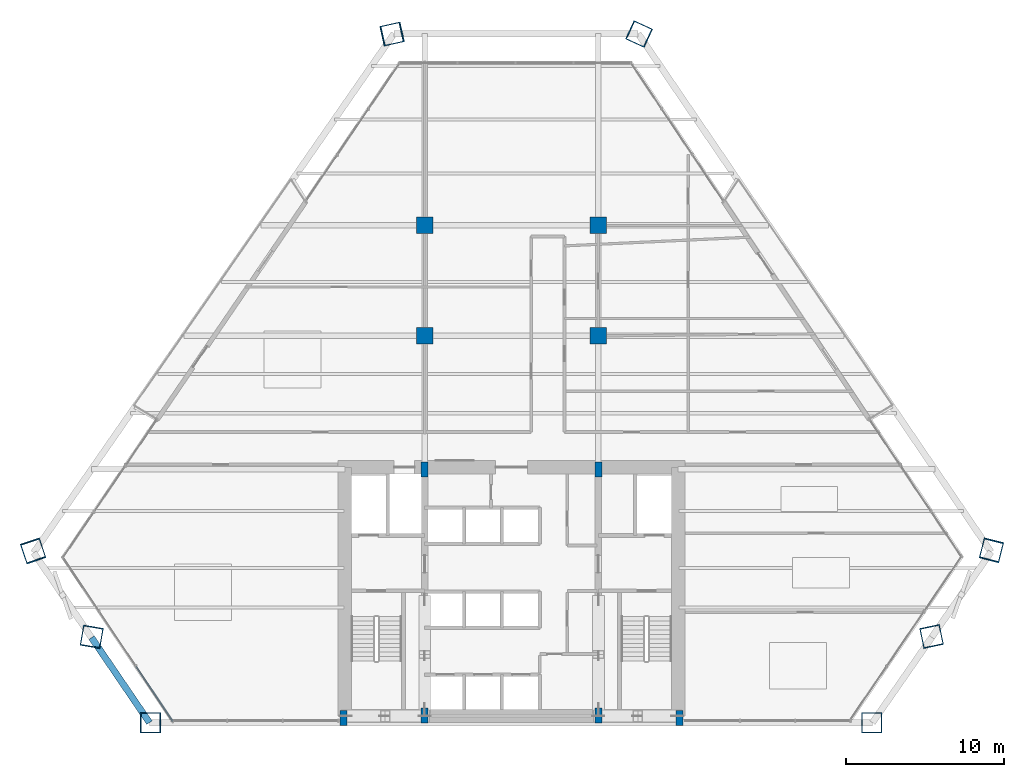
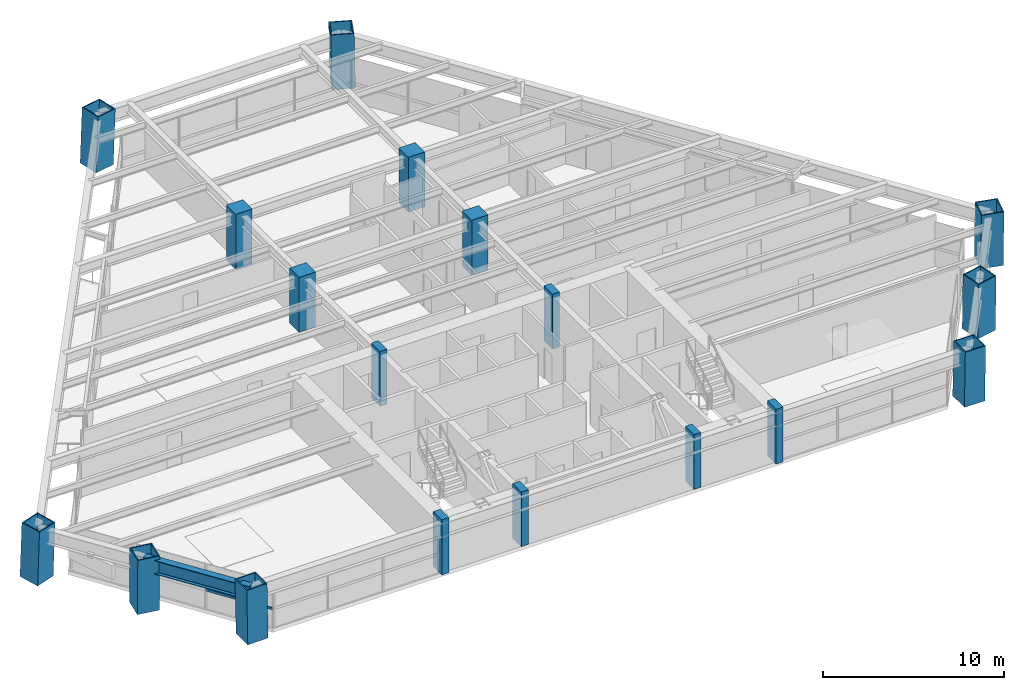
# One storey, part 1 of 14: 18 columns, 1 beam, 1 member, 1 element without a shape of its own.
"""IFC4 building model written with IfcOpenShell, lengths in metres."""

from ifc_helpers import new_model, si_unit, direction, frame, origin, origin_2d, place, context, subcontext, project, spatial, rectangle, hollow_rectangle, i_section, extrude, source, transform, mapped, material, material_profile, profile_set, type_object, type_shapes, element, aggregate, save


model = new_model("IFC4")

# Units and contexts
model_context = context("Model", 3, precision=1e-05, world=origin(), true_north=direction((0.0, 1.0)))
body_context = subcontext(model_context, "Body", "Model", "MODEL_VIEW")
ifc_project = project(units=[si_unit("LENGTHUNIT", "METRE"), si_unit("AREAUNIT", "SQUARE_METRE"), si_unit("VOLUMEUNIT", "CUBIC_METRE"), si_unit("PLANEANGLEUNIT", "RADIAN"), si_unit("MASSUNIT", "GRAM", prefix="KILO")], contexts=[model_context])

# Site, building, storey
site_placement = place(None, origin())
site = spatial("IfcSite", under=ifc_project, at=site_placement, CompositionType="ELEMENT")
building_placement = place(site_placement, origin())
building = spatial("IfcBuilding", under=site, at=building_placement, Name="Varnakhor Terracotta Tower", CompositionType="ELEMENT")
storey_placement = place(building_placement, frame((0.0, 0.0, 49.699951171875)))
storey = spatial("IfcBuildingStorey", under=building, at=storey_placement, Name="L11", CompositionType="ELEMENT", Elevation=49.699951171875)

# Columns
ifc_material_1 = material(Name="Concrete C50/60", Category="concrete")
ifc_material_profile_1 = material_profile(ifc_material_1, rectangle(XDim=0.449951171875, YDim=0.949951171875, at=origin_2d()), Name="RC PILASTER 950x450")
ifc_profile_set_1 = profile_set([ifc_material_profile_1], Name="Concrete C50/60")
column_type_1 = type_object("IfcColumnType", Name="COL-PIL-950x450", PredefinedType="PILASTER", material=ifc_profile_set_1)
shared_shape_1 = source(origin(), body_context, "Body", "SweptSolid", [
    extrude(rectangle(XDim=0.449951171875, YDim=0.949951171875, at=origin_2d()), origin(), (0.0, 0.0, 1.0), 3.699951171875),
])
for number, where, z_axis, x_axis, name in (
    (1, (-10.64990234375, 0.300048828125, 0.0), (0.0, 0.0, 1.0), (1.0, 0.0, 0.0), "L11 Core Pilaster CP1"),
    (2, (-5.5, 0.449951171875, 0.0), (0.0, 0.0, 1.0), (1.0, 0.0, 0.0), "L11 Core Pilaster CP2"),
    (3, (5.5, 0.449951171875, 0.0), (0.0, 0.0, 1.0), (1.0, 0.0, 0.0), "L11 Core Pilaster CP3"),
    (4, (10.64990234375, 0.300048828125, 0.0), (0.0, 0.0, 1.0), (1.0, 0.0, 0.0), "L11 Core Pilaster CP4"),
    (5, (-5.5, 16.050048828125, 0.0), (0.0, 0.0, 1.0), (1.0, 0.0, 0.0), "L11 Core Pilaster CP5"),
    (6, (5.5, 16.050048828125, 0.0), (0.0, 0.0, 1.0), (1.0, 0.0, 0.0), "L11 Core Pilaster CP6"),
):
    element("IfcColumn", number, at=place(storey_placement, frame(where, z_axis=z_axis, x_axis=x_axis)), inside=storey, type_object=column_type_1, Name=name, PredefinedType="PILASTER", context=body_context, shape_type="MappedRepresentation", body=[
        mapped(shared_shape_1, transform((0.0, 0.0, 0.0), scale=1.0)),
    ])
ifc_material_2 = material(Name="Steel S460", Category="steel")
ifc_material_profile_2 = material_profile(ifc_material_2, hollow_rectangle(XDim=1.300048828125, YDim=1.300048828125, WallThickness=0.06494140625, at=origin_2d()), Name="BOX 1300x1300x65")
ifc_profile_set_2 = profile_set([ifc_material_profile_2], Name="Steel S460")
column_type_2 = type_object("IfcColumnType", Name="COL-MEGA-1300", PredefinedType="COLUMN", material=ifc_profile_set_2)
shared_shape_2 = source(origin(), body_context, "Body", "SweptSolid", [
    extrude(hollow_rectangle(XDim=1.300048828125, YDim=1.300048828125, WallThickness=0.06494140625, at=origin_2d()), origin(), (0.0, 0.0, 1.0), 3.69189453125),
])
type_shapes(column_type_2, [shared_shape_2])
column_1_placement = place(storey_placement, frame((8.093505859375, 43.61474609375, 0.00439453125), z_axis=(-0.019441280293, 0.008927118502, 0.999771145401), x_axis=(-0.417293219977, -0.908771901283, 0.0)))
element("IfcColumn", 7, at=column_1_placement, inside=storey, type_object=column_type_2, Name="L11 Perimeter Mega-Column M5", PredefinedType="COLUMN", context=body_context, shape_type="MappedRepresentation", body=[
    mapped(shared_shape_2, transform((0.0, 0.0, 0.0), scale=1.0)),
])
shared_shape_3 = source(origin(), body_context, "Body", "SweptSolid", [
    extrude(hollow_rectangle(XDim=1.300048828125, YDim=1.300048828125, WallThickness=0.06494140625, at=origin_2d()), origin(), (0.0, 0.0, 1.0), 3.691650390625),
])
for number, where, z_axis, x_axis, name in (
    (8, (-22.86669921875, 0.0, 0.00439453125), (-0.017921587153, 0.0, 0.99983939546), (0.0, -1.0, 0.0), "L11 Perimeter Mega-Column M1"),
    (9, (22.80859375, 0.0, 0.00439453125), (0.015409242413, 0.0, 0.999881270576), (0.0, 1.0, 0.0), "L11 Perimeter Mega-Column M2"),
    (10, (26.60791015625, 5.470703125, 0.00439453125), (0.003505014481, -0.016665351872, 0.999854979945), (0.978590967511, 0.205814766977, 0.0), "L11 Perimeter Mega-Column M3"),
    (11, (-26.588134765625, 5.44970703125, 0.00439453125), (-0.003042044409, -0.017590952451, 0.999840639481), (0.985374438505, -0.170403098388, 0.0), "L11 Perimeter Mega-Column M8"),
):
    element("IfcColumn", number, at=place(storey_placement, frame(where, z_axis=z_axis, x_axis=x_axis)), inside=storey, type_object=column_type_2, Name=name, PredefinedType="COLUMN", context=body_context, shape_type="MappedRepresentation", body=[
        mapped(shared_shape_3, transform((0.0, 0.0, 0.0), scale=1.0)),
    ])
shared_shape_4 = source(origin(), body_context, "Body", "SweptSolid", [
    extrude(hollow_rectangle(XDim=1.300048828125, YDim=1.300048828125, WallThickness=0.06494140625, at=origin_2d()), origin(), (0.0, 0.0, 1.0), 3.693359375),
])
column_2_placement = place(storey_placement, frame((30.406982421875, 10.941162109375, 0.00439453125), z_axis=(-0.008395085669, -0.03324982749, 0.999411812772), x_axis=(0.969572914284, -0.244802704004, 0.0)))
element("IfcColumn", 12, at=column_2_placement, inside=storey, type_object=column_type_2, Name="L11 Perimeter Mega-Column M4", PredefinedType="COLUMN", context=body_context, shape_type="MappedRepresentation", body=[
    mapped(shared_shape_4, transform((0.0, 0.0, 0.0), scale=1.0)),
])
ifc_material_3 = material(Name="Concrete C60/75", Category="concrete")
ifc_material_profile_3 = material_profile(ifc_material_3, rectangle(XDim=1.050048828125, YDim=1.050048828125, at=origin_2d()), Name="RC 1050x1050")
ifc_profile_set_3 = profile_set([ifc_material_profile_3], Name="Concrete C60/75")
column_type_3 = type_object("IfcColumnType", Name="COL-RC-1050", PredefinedType="COLUMN", material=ifc_profile_set_3)
shared_shape_5 = source(origin(), body_context, "Body", "SweptSolid", [
    extrude(rectangle(XDim=1.050048828125, YDim=1.050048828125, at=origin_2d()), origin(), (0.0, 0.0, 1.0), 3.699951171875),
])
for number, where, z_axis, x_axis, name in (
    (13, (-5.5, 24.5, 0.0), (0.0, 0.0, 1.0), (1.0, 0.0, 0.0), "L11 Interior Tower Column IC1"),
    (14, (5.5, 24.5, 0.0), (0.0, 0.0, 1.0), (1.0, 0.0, 0.0), "L11 Interior Tower Column IC2"),
    (15, (-5.5, 31.5, 0.0), (0.0, 0.0, 1.0), (1.0, 0.0, 0.0), "L11 Interior Tower Column IC3"),
    (16, (5.5, 31.5, 0.0), (0.0, 0.0, 1.0), (1.0, 0.0, 0.0), "L11 Interior Tower Column IC4"),
):
    element("IfcColumn", number, at=place(storey_placement, frame(where, z_axis=z_axis, x_axis=x_axis)), inside=storey, type_object=column_type_3, Name=name, PredefinedType="COLUMN", context=body_context, shape_type="MappedRepresentation", body=[
        mapped(shared_shape_5, transform((0.0, 0.0, 0.0), scale=1.0)),
    ])
shared_shape_6 = source(origin(), body_context, "Body", "SweptSolid", [
    extrude(hollow_rectangle(XDim=1.300048828125, YDim=1.300048828125, WallThickness=0.06494140625, at=origin_2d()), origin(), (0.0, 0.0, 1.0), 3.693603515625),
])
column_3_placement = place(storey_placement, frame((-30.309814453125, 10.899169921875, 0.00439453125), z_axis=(0.011831283945, -0.035097272484, 0.999313865702), x_axis=(0.947607117252, 0.319438180769, 0.0)))
element("IfcColumn", 17, at=column_3_placement, inside=storey, type_object=column_type_2, Name="L11 Perimeter Mega-Column M7", PredefinedType="COLUMN", context=body_context, shape_type="MappedRepresentation", body=[
    mapped(shared_shape_6, transform((0.0, 0.0, 0.0), scale=1.0)),
])
shared_shape_7 = source(origin(), body_context, "Body", "SweptSolid", [
    extrude(hollow_rectangle(XDim=1.300048828125, YDim=1.300048828125, WallThickness=0.06494140625, at=origin_2d()), origin(), (0.0, 0.0, 1.0), 3.6943359375),
])
column_4_placement = place(storey_placement, frame((-7.589599609375, 43.61474609375, 0.00439453125), z_axis=(0.040048263577, 0.008921642876, 0.999157915884), x_axis=(-0.217442056392, 0.976073230917, 0.0)))
element("IfcColumn", 18, at=column_4_placement, inside=storey, type_object=column_type_2, Name="L11 Perimeter Mega-Column M6", PredefinedType="COLUMN", context=body_context, shape_type="MappedRepresentation", body=[
    mapped(shared_shape_7, transform((0.0, 0.0, 0.0), scale=1.0)),
])

# Beam
ifc_material_4 = material(Name="Steel S355", Category="steel")
ifc_material_profile_4 = material_profile(ifc_material_4, i_section(OverallWidth=0.41796875, OverallDepth=0.927001953125, WebThickness=0.01904296875, FlangeThickness=0.031982421875, FilletRadius=0.01806640625, at=origin_2d()), Name="W36X231")
ifc_profile_set_4 = profile_set([ifc_material_profile_4], Name="Steel S355")
beam_type = type_object("IfcBeamType", Name="BM-W36X231", PredefinedType="BEAM", material=ifc_profile_set_4)
shared_shape_8 = source(origin(), body_context, "Body", "SweptSolid", [
    extrude(i_section(OverallWidth=0.41796875, OverallDepth=0.927001953125, WebThickness=0.01904296875, FlangeThickness=0.031982421875, FilletRadius=0.01806640625, at=origin_2d()), origin(), (0.0, 0.0, 1.0), 6.514404296875),
])
beam_placement = place(storey_placement, frame((-26.599365234375, 5.384765625, 2.986572265625), z_axis=(0.562820396791, -0.826579216382, 0.0), x_axis=(0.826579216382, 0.562820396791, 0.0)))
element("IfcBeam", 19, at=beam_placement, inside=storey, type_object=beam_type, Name="L11 Perimeter Spandrel 8", PredefinedType="BEAM", context=body_context, shape_type="MappedRepresentation", body=[
    mapped(shared_shape_8, transform((0.0, 0.0, 0.0), scale=1.0)),
])

# Curtain wall, member
ifc_material_5 = material(Name="Anodised Aluminium Curtain Wall System", Category="aluminium")
curtain_wall_type = type_object("IfcCurtainWallType", Name="CW-SYS-LOW-OFFICE", PredefinedType="NOTDEFINED", material=ifc_material_5)
curtain_wall_placement = place(storey_placement, origin())
curtain_wall = element("IfcCurtainWall", 20, at=curtain_wall_placement, inside=storey, type_object=curtain_wall_type, Name="L11 Facet Curtain Wall 6", PredefinedType="NOTDEFINED")
ifc_material_6 = material(Name="Anodised Aluminium 6063-T6", Category="aluminium")
ifc_material_profile_5 = material_profile(ifc_material_6, rectangle(XDim=0.074951171875, YDim=0.1650390625, at=origin_2d()), Name="ALU TRANSOM 75x165")
ifc_profile_set_5 = profile_set([ifc_material_profile_5], Name="Anodised Aluminium 6063-T6")
member_type = type_object("IfcMemberType", Name="CWT-02", PredefinedType="USERDEFINED", material=ifc_profile_set_5)
shared_shape_9 = source(origin(), body_context, "Body", "SweptSolid", [
    extrude(rectangle(XDim=0.074951171875, YDim=0.1650390625, at=origin_2d()), origin(), (0.0, 0.0, 1.0), 4.180419921875),
])
member_placement = place(storey_placement, frame((-21.455322265625, 0.091796875, 1.272705078125), z_axis=(-0.556101050132, 0.831114686456, 0.0), x_axis=(-0.831114686456, -0.556101050132, 0.0)))
member = element("IfcMember", 21, at=member_placement, type_object=member_type, Name="L11 Facet Curtain Wall 6 Transom 1", ObjectType="TRANSOM", PredefinedType="USERDEFINED", context=body_context, shape_type="MappedRepresentation", body=[
    mapped(shared_shape_9, transform((0.0, 0.0, 0.0), scale=1.0)),
])
aggregate(curtain_wall, [member])

save(model, "model.ifc")
